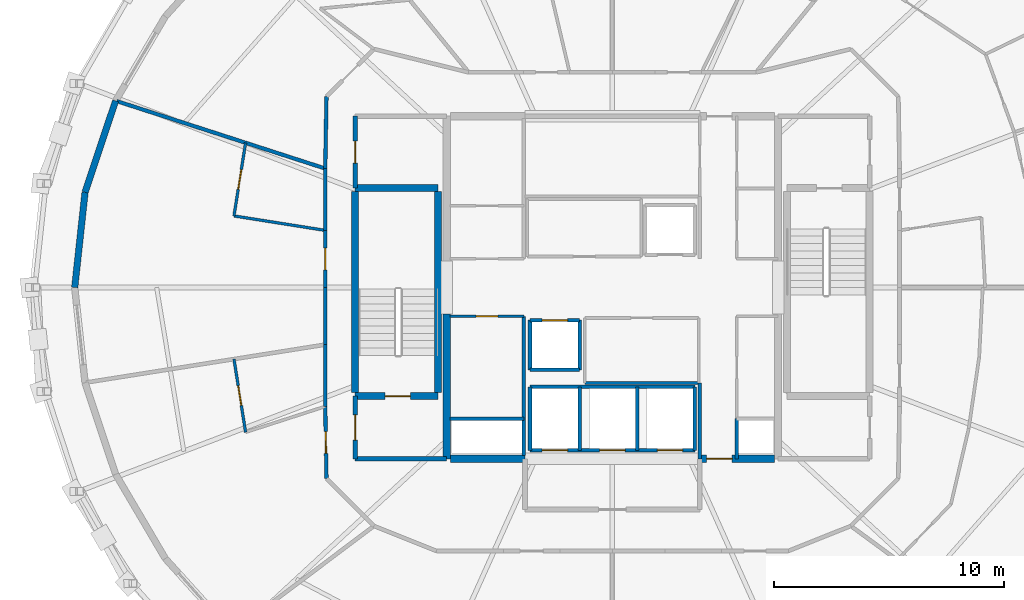
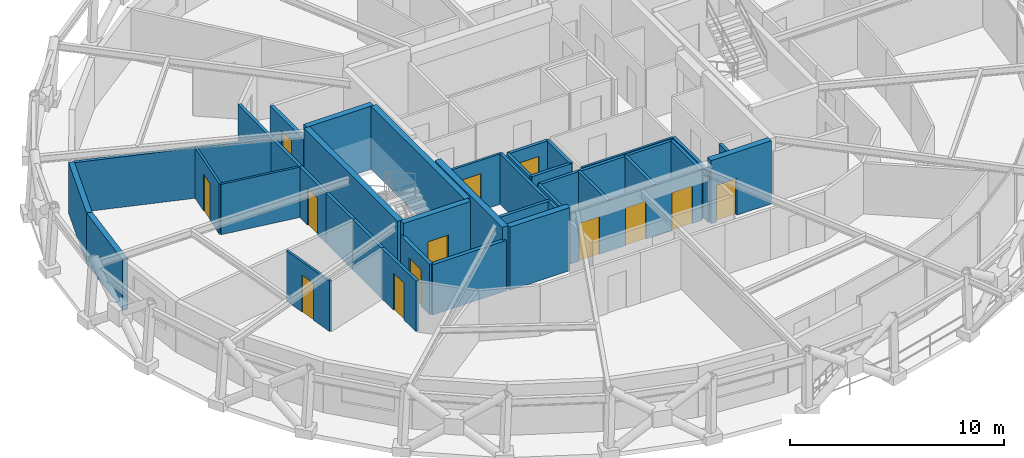
# One storey, part 14 of 18: 38 walls, 13 doors, 13 openings.
"""IFC4 building model written with IfcOpenShell, lengths in metres."""

from ifc_helpers import new_model, si_unit, direction, frame, frame_2d, origin, place, context, subcontext, project, spatial, rectangle, extrude, material, layer, layer_set, type_object, element, fill, save


model = new_model("IFC4")

# Units and contexts
model_context = context("Model", 3, precision=1e-05, world=origin(), true_north=direction((0.0, 1.0)))
body_context = subcontext(model_context, "Body", "Model", "MODEL_VIEW")
ifc_project = project(units=[si_unit("LENGTHUNIT", "METRE"), si_unit("AREAUNIT", "SQUARE_METRE"), si_unit("VOLUMEUNIT", "CUBIC_METRE"), si_unit("PLANEANGLEUNIT", "RADIAN"), si_unit("MASSUNIT", "GRAM", prefix="KILO")], contexts=[model_context])

# Site, building, storey
site_placement = place(None, origin())
site = spatial("IfcSite", under=ifc_project, at=site_placement, CompositionType="ELEMENT")
building_placement = place(site_placement, origin())
building = spatial("IfcBuilding", under=site, at=building_placement, Name="Veldorina Hangang Commons", CompositionType="ELEMENT")
storey_placement = place(building_placement, frame((0.0, 0.0, 218.39990234375)))
storey = spatial("IfcBuildingStorey", under=building, at=storey_placement, Name="L56", CompositionType="ELEMENT", Elevation=218.39990234375)

# Walls
ifc_material_1 = material(Name="Concrete C50/60", Category="concrete")
ifc_layer_1 = layer(ifc_material_1, 0.320068359375)
ifc_layer_set_1 = layer_set([ifc_layer_1], Name="Concrete C50/60")
wall_type_1 = type_object("IfcWallType", Name="CW-RC320-C50", PredefinedType="SHEAR", material=ifc_layer_set_1)
wall_1_placement = place(storey_placement, frame((24.800048828125, 16.550048828125, 0.0), z_axis=(0.0, 0.0, 1.0), x_axis=(0.0, 1.0, 0.0)))
element("IfcWall", 1, at=wall_1_placement, inside=storey, type_object=wall_type_1, Name="L56 W south core shear wall", PredefinedType="SHEAR", context=body_context, shape_type="SweptSolid", body=[
    extrude(rectangle(XDim=6.300048828125, YDim=0.320068359375, at=frame_2d((3.14990234375, 0.0))), origin(), (0.0, 0.0, 1.0), 3.60009765625),
])
wall_2_placement = place(storey_placement, frame((24.9599609375, 16.550048828125, 0.0), z_axis=(0.0, 0.0, 1.0), x_axis=(1.0, 0.0, 0.0)))
element("IfcWall", 2, at=wall_2_placement, inside=storey, type_object=wall_type_1, Name="L56 south-west core shear wall", PredefinedType="SHEAR", context=body_context, shape_type="SweptSolid", body=[
    extrude(rectangle(XDim=3.239990234375, YDim=0.320068359375, at=frame_2d((1.6201171875, 0.0))), origin(), (0.0, 0.0, 1.0), 3.60009765625),
])

# Wall, opening, door
wall_3_placement = place(storey_placement, frame((35.800048828125, 16.550048828125, 0.0), z_axis=(0.0, 0.0, 1.0), x_axis=(1.0, 0.0, 0.0)))
wall_3 = element("IfcWall", 3, at=wall_3_placement, inside=storey, type_object=wall_type_1, Name="L56 south-east core shear wall", PredefinedType="SHEAR", context=body_context, shape_type="SweptSolid", body=[
    extrude(rectangle(XDim=3.239990234375, YDim=0.320068359375, at=frame_2d((1.6201171875, 0.0))), origin(), (0.0, 0.0, 1.0), 3.60009765625),
])
opening_1_placement = place(wall_3_placement, frame((0.300048828125, 0.0, 0.0)))
opening_1 = element("IfcOpeningElement", 4, at=opening_1_placement, cuts=wall_3, Name="Opening D-08", PredefinedType="OPENING", context=body_context, shape_type="SweptSolid", body=[
    extrude(rectangle(XDim=1.10009765625, YDim=2.10009765625, at=frame_2d((0.550048828125, 1.050048828125))), frame((0.0, 0.169921875, 0.0), z_axis=(0.0, -1.0, 0.0), x_axis=(1.0, 0.0, 0.0)), (0.0, 0.0, 1.0), 0.340087890625),
])
ifc_material_2 = material(Name="Steel Fire-Rated Smoke Seal", Category="steel")
door_type_1 = type_object("IfcDoorType", Name="DR-FIRE-1100", OperationType="SINGLE_SWING_RIGHT", PredefinedType="DOOR", material=ifc_material_2)
door_1_placement = place(opening_1_placement, origin())
door_1 = element("IfcDoor", 5, at=door_1_placement, inside=storey, type_object=door_type_1, Name="L56 central lift lobby south corridor door", OperationType="SINGLE_SWING_RIGHT", OverallHeight=2.10009765625, OverallWidth=1.10009765625, PredefinedType="DOOR", context=body_context, shape_type="SweptSolid", body=[
    extrude(rectangle(XDim=1.10009765625, YDim=2.10009765625, at=frame_2d((0.550048828125, 1.050048828125))), frame((0.0, 0.02490234375, 0.0), z_axis=(0.0, -1.0, 0.0), x_axis=(1.0, 0.0, 0.0)), (0.0, 0.0, 1.0), 0.050048828125),
])
fill(opening_1, door_1)

# Walls
ifc_material_3 = material(Name="Stone Roman Travertine", Category="masonry")
ifc_layer_2 = layer(ifc_material_3, 0.280029296875)
ifc_layer_set_2 = layer_set([ifc_layer_2], Name="Stone Roman Travertine")
wall_type_2 = type_object("IfcWallType", Name="EW-TRAV-280", PredefinedType="STANDARD", material=ifc_layer_set_2)
wall_4_placement = place(storey_placement, frame((10.41015625, 32.115478515625, 0.0), z_axis=(0.0, 0.0, 1.0), x_axis=(-0.317030851827, -0.948415224989, 0.0)))
element("IfcWall", 6, at=wall_4_placement, inside=storey, type_object=wall_type_2, Name="L56 travertine facade wall 14", PredefinedType="STANDARD", context=body_context, shape_type="SweptSolid", body=[
    extrude(rectangle(XDim=4.194580078125, YDim=0.280029296875, at=frame_2d((2.09716796875, 0.0))), origin(), (0.0, 0.0, 1.0), 2.880126953125),
])
wall_5_placement = place(storey_placement, frame((9.080322265625, 28.13720703125, 0.0), z_axis=(0.0, 0.0, 1.0), x_axis=(-0.107887755605, -0.994163081285, 0.0)))
element("IfcWall", 7, at=wall_5_placement, inside=storey, type_object=wall_type_2, Name="L56 travertine facade wall 15", PredefinedType="STANDARD", context=body_context, shape_type="SweptSolid", body=[
    extrude(rectangle(XDim=4.161376953125, YDim=0.280029296875, at=frame_2d((2.08056640625, 0.0))), origin(), (0.0, 0.0, 1.0), 2.880126953125),
])
ifc_layer_3 = layer(ifc_material_1, 0.300048828125)
ifc_layer_set_3 = layer_set([ifc_layer_3], Name="Concrete C50/60")
wall_type_3 = type_object("IfcWallType", Name="SW-STAIR-300", PredefinedType="SHEAR", material=ifc_layer_set_3)
for number, where, z_axis, x_axis, name in (
    (8, (20.820068359375, 19.429931640625, 0.0), (0.0, 0.0, 1.0), (0.0, 1.0, 0.0), "L56 ST1 outer stair shear wall"),
    (9, (24.419921875, 19.429931640625, 0.0), (0.0, 0.0, 1.0), (0.0, 1.0, 0.0), "L56 ST1 inner stair shear wall"),
):
    element("IfcWall", number, at=place(storey_placement, frame(where, z_axis=z_axis, x_axis=x_axis)), inside=storey, type_object=wall_type_3, Name=name, PredefinedType="SHEAR", context=body_context, shape_type="SweptSolid", body=[
        extrude(rectangle(XDim=8.739990234375, YDim=0.300048828125, at=frame_2d((4.3701171875, 0.0))), origin(), (0.0, 0.0, 1.0), 3.60009765625),
    ])

# Wall, opening, door
wall_6_placement = place(storey_placement, frame((20.820068359375, 19.280029296875, 0.0), z_axis=(0.0, 0.0, 1.0), x_axis=(1.0, 0.0, 0.0)))
wall_6 = element("IfcWall", 10, at=wall_6_placement, inside=storey, type_object=wall_type_3, Name="L56 ST1 south stair shear wall", PredefinedType="SHEAR", context=body_context, shape_type="SweptSolid", body=[
    extrude(rectangle(XDim=3.599853515625, YDim=0.300048828125, at=frame_2d((1.7998046875, 0.0))), origin(), (0.0, 0.0, 1.0), 3.60009765625),
])
opening_2_placement = place(wall_6_placement, frame((1.300048828125, 0.0, 0.0)))
opening_2 = element("IfcOpeningElement", 11, at=opening_2_placement, cuts=wall_6, Name="Opening D-08", PredefinedType="OPENING", context=body_context, shape_type="SweptSolid", body=[
    extrude(rectangle(XDim=1.10009765625, YDim=2.10009765625, at=frame_2d((0.550048828125, 1.050048828125))), frame((0.0, 0.16015625, 0.0), z_axis=(0.0, -1.0, 0.0), x_axis=(1.0, 0.0, 0.0)), (0.0, 0.0, 1.0), 0.320068359375),
])
door_2_placement = place(opening_2_placement, origin())
door_2 = element("IfcDoor", 12, at=door_2_placement, inside=storey, type_object=door_type_1, Name="L56 Special Escape Stair ST-1 door", OperationType="SINGLE_SWING_LEFT", OverallHeight=2.10009765625, OverallWidth=1.10009765625, PredefinedType="DOOR", context=body_context, shape_type="SweptSolid", body=[
    extrude(rectangle(XDim=1.10009765625, YDim=2.10009765625, at=frame_2d((0.550048828125, 1.050048828125))), frame((0.0, 0.02490234375, 0.0), z_axis=(0.0, -1.0, 0.0), x_axis=(1.0, 0.0, 0.0)), (0.0, 0.0, 1.0), 0.050048828125),
])
fill(opening_2, door_2)

# Walls
wall_7_placement = place(storey_placement, frame((20.820068359375, 28.320068359375, 0.0), z_axis=(0.0, 0.0, 1.0), x_axis=(1.0, 0.0, 0.0)))
element("IfcWall", 13, at=wall_7_placement, inside=storey, type_object=wall_type_3, Name="L56 ST1 north stair shear wall", PredefinedType="SHEAR", context=body_context, shape_type="SweptSolid", body=[
    extrude(rectangle(XDim=3.599853515625, YDim=0.300048828125, at=frame_2d((1.7998046875, 0.0))), origin(), (0.0, 0.0, 1.0), 3.60009765625),
])
ifc_material_4 = material(Name="Gypsum Fire-Rated Twin Stud Wall", Category="gypsum")
ifc_layer_4 = layer(ifc_material_4, 0.159912109375)
ifc_layer_set_4 = layer_set([ifc_layer_4], Name="Gypsum Fire-Rated Twin Stud Wall")
wall_type_4 = type_object("IfcWallType", Name="WL-FIRE-160", PredefinedType="SOLIDWALL", material=ifc_layer_set_4)
wall_8_placement = place(storey_placement, frame((35.800048828125, 16.550048828125, 0.0), z_axis=(0.0, 0.0, 1.0), x_axis=(0.0, 1.0, 0.0)))
element("IfcWall", 14, at=wall_8_placement, inside=storey, type_object=wall_type_4, Name="L56 Lift passage SW wall 009", PredefinedType="SOLIDWALL", context=body_context, shape_type="SweptSolid", body=[
    extrude(rectangle(XDim=3.300048828125, YDim=0.159912109375, at=frame_2d((1.64990234375, 0.0))), origin(), (0.0, 0.0, 1.0), 2.8701171875),
])
wall_9_placement = place(storey_placement, frame((37.39990234375, 16.550048828125, 0.0), z_axis=(0.0, 0.0, 1.0), x_axis=(0.0, 1.0, 0.0)))
element("IfcWall", 15, at=wall_9_placement, inside=storey, type_object=wall_type_4, Name="L56 Lift passage SE stub 010", PredefinedType="SOLIDWALL", context=body_context, shape_type="SweptSolid", body=[
    extrude(rectangle(XDim=1.75, YDim=0.159912109375, at=frame_2d((0.875, 0.0))), origin(), (0.0, 0.0, 1.0), 2.8701171875),
])

# Wall, opening, door
wall_10_placement = place(storey_placement, frame((28.419921875, 22.580078125, 0.0), z_axis=(0.0, 0.0, 1.0), x_axis=(1.0, 0.0, 0.0)))
wall_10 = element("IfcWall", 16, at=wall_10_placement, inside=storey, type_object=wall_type_4, Name="L56 Shuttle-high front shaft wall 019", PredefinedType="SOLIDWALL", context=body_context, shape_type="SweptSolid", body=[
    extrude(rectangle(XDim=2.16015625, YDim=0.159912109375, at=frame_2d((1.080078125, 0.0))), origin(), (0.0, 0.0, 1.0), 2.8701171875),
])
opening_3_placement = place(wall_10_placement, frame((0.530029296875, 0.0, 0.0)))
opening_3 = element("IfcOpeningElement", 17, at=opening_3_placement, cuts=wall_10, Name="Opening LD-01", PredefinedType="OPENING", context=body_context, shape_type="SweptSolid", body=[
    extrude(rectangle(XDim=1.10009765625, YDim=2.14990234375, at=frame_2d((0.550048828125, 1.074951171875))), frame((0.0, 0.08984375, 0.0), z_axis=(0.0, -1.0, 0.0), x_axis=(1.0, 0.0, 0.0)), (0.0, 0.0, 1.0), 0.179931640625),
])
ifc_material_5 = material(Name="Stainless Steel Brushed Lift Door", Category="steel")
door_type_2 = type_object("IfcDoorType", Name="DR-LIFT-1100", OperationType="SLIDING_TO_LEFT", PredefinedType="DOOR", material=ifc_material_5)
door_3_placement = place(opening_3_placement, origin())
door_3 = element("IfcDoor", 18, at=door_3_placement, inside=storey, type_object=door_type_2, Name="L56 Lift PL-H2 landing door 007", OperationType="SLIDING_TO_LEFT", OverallHeight=2.14990234375, OverallWidth=1.10009765625, PredefinedType="DOOR", context=body_context, shape_type="SweptSolid", body=[
    extrude(rectangle(XDim=1.10009765625, YDim=2.14990234375, at=frame_2d((0.550048828125, 1.074951171875))), frame((0.0, 0.02490234375, 0.0), z_axis=(0.0, -1.0, 0.0), x_axis=(1.0, 0.0, 0.0)), (0.0, 0.0, 1.0), 0.050048828125),
])
fill(opening_3, door_3)

# Walls
for number, where, z_axis, x_axis, name in (
    (19, (28.419921875, 20.419921875, 0.0), (0.0, 0.0, 1.0), (1.0, 0.0, 0.0), "L56 Shuttle-high rear shaft wall 020"),
    (20, (28.419921875, 20.419921875, 0.0), (0.0, 0.0, 1.0), (0.0, 1.0, 0.0), "L56 PL-H2 west shaft wall 021"),
    (21, (30.580078125, 20.419921875, 0.0), (0.0, 0.0, 1.0), (0.0, 1.0, 0.0), "L56 PL-H2 east shaft wall 022"),
):
    element("IfcWall", number, at=place(storey_placement, frame(where, z_axis=z_axis, x_axis=x_axis)), inside=storey, type_object=wall_type_4, Name=name, PredefinedType="SOLIDWALL", context=body_context, shape_type="SweptSolid", body=[
        extrude(rectangle(XDim=2.16015625, YDim=0.159912109375, at=frame_2d((1.080078125, 0.0))), origin(), (0.0, 0.0, 1.0), 2.8701171875),
    ])

# Wall, openings, doors
wall_11_placement = place(storey_placement, frame((28.419921875, 16.919921875, 0.0), z_axis=(0.0, 0.0, 1.0), x_axis=(1.0, 0.0, 0.0)))
wall_11 = element("IfcWall", 22, at=wall_11_placement, inside=storey, type_object=wall_type_4, Name="L56 Emergency front shaft wall 023", PredefinedType="SOLIDWALL", context=body_context, shape_type="SweptSolid", body=[
    extrude(rectangle(XDim=7.16015625, YDim=0.159912109375, at=frame_2d((3.580078125, 0.0))), origin(), (0.0, 0.0, 1.0), 2.8701171875),
])
opening_4_placement = place(wall_11_placement, frame((0.530029296875, 0.0, 0.0)))
opening_4 = element("IfcOpeningElement", 23, at=opening_4_placement, cuts=wall_11, Name="Opening LD-03", PredefinedType="OPENING", context=body_context, shape_type="SweptSolid", body=[
    extrude(rectangle(XDim=1.10009765625, YDim=2.14990234375, at=frame_2d((0.550048828125, 1.074951171875))), frame((0.0, 0.08984375, 0.0), z_axis=(0.0, -1.0, 0.0), x_axis=(1.0, 0.0, 0.0)), (0.0, 0.0, 1.0), 0.179931640625),
])
opening_5_placement = place(wall_11_placement, frame((3.030029296875, 0.0, 0.0)))
opening_5 = element("IfcOpeningElement", 24, at=opening_5_placement, cuts=wall_11, Name="Opening LD-03", PredefinedType="OPENING", context=body_context, shape_type="SweptSolid", body=[
    extrude(rectangle(XDim=1.10009765625, YDim=2.14990234375, at=frame_2d((0.550048828125, 1.074951171875))), frame((0.0, 0.08984375, 0.0), z_axis=(0.0, -1.0, 0.0), x_axis=(1.0, 0.0, 0.0)), (0.0, 0.0, 1.0), 0.179931640625),
])
opening_6_placement = place(wall_11_placement, frame((5.530029296875, 0.0, 0.0)))
opening_6 = element("IfcOpeningElement", 25, at=opening_6_placement, cuts=wall_11, Name="Opening LD-03", PredefinedType="OPENING", context=body_context, shape_type="SweptSolid", body=[
    extrude(rectangle(XDim=1.10009765625, YDim=2.14990234375, at=frame_2d((0.550048828125, 1.074951171875))), frame((0.0, 0.08984375, 0.0), z_axis=(0.0, -1.0, 0.0), x_axis=(1.0, 0.0, 0.0)), (0.0, 0.0, 1.0), 0.179931640625),
])
ifc_material_6 = material(Name="Stainless Steel Firefighting Lift Door", Category="steel")
door_type_3 = type_object("IfcDoorType", Name="DR-LIFT-FF1100", OperationType="SLIDING_TO_RIGHT", PredefinedType="DOOR", material=ifc_material_6)
door_4_placement = place(opening_4_placement, origin())
door_4 = element("IfcDoor", 26, at=door_4_placement, inside=storey, type_object=door_type_3, Name="L56 Emergency lift FFL-1 landing door 008", OperationType="SLIDING_TO_RIGHT", OverallHeight=2.14990234375, OverallWidth=1.10009765625, PredefinedType="DOOR", context=body_context, shape_type="SweptSolid", body=[
    extrude(rectangle(XDim=1.10009765625, YDim=2.14990234375, at=frame_2d((0.550048828125, 1.074951171875))), frame((0.0, 0.02490234375, 0.0), z_axis=(0.0, -1.0, 0.0), x_axis=(1.0, 0.0, 0.0)), (0.0, 0.0, 1.0), 0.050048828125),
])
fill(opening_4, door_4)
door_5_placement = place(opening_5_placement, origin())
door_5 = element("IfcDoor", 27, at=door_5_placement, inside=storey, type_object=door_type_3, Name="L56 Emergency lift FFL-2 landing door 009", OperationType="SLIDING_TO_RIGHT", OverallHeight=2.14990234375, OverallWidth=1.10009765625, PredefinedType="DOOR", context=body_context, shape_type="SweptSolid", body=[
    extrude(rectangle(XDim=1.10009765625, YDim=2.14990234375, at=frame_2d((0.550048828125, 1.074951171875))), frame((0.0, 0.02490234375, 0.0), z_axis=(0.0, -1.0, 0.0), x_axis=(1.0, 0.0, 0.0)), (0.0, 0.0, 1.0), 0.050048828125),
])
fill(opening_5, door_5)
door_6_placement = place(opening_6_placement, origin())
door_6 = element("IfcDoor", 28, at=door_6_placement, inside=storey, type_object=door_type_3, Name="L56 Emergency lift EVL-1 landing door 010", OperationType="SLIDING_TO_RIGHT", OverallHeight=2.14990234375, OverallWidth=1.10009765625, PredefinedType="DOOR", context=body_context, shape_type="SweptSolid", body=[
    extrude(rectangle(XDim=1.10009765625, YDim=2.14990234375, at=frame_2d((0.550048828125, 1.074951171875))), frame((0.0, 0.02490234375, 0.0), z_axis=(0.0, -1.0, 0.0), x_axis=(1.0, 0.0, 0.0)), (0.0, 0.0, 1.0), 0.050048828125),
])
fill(opening_6, door_6)

# Walls
wall_12_placement = place(storey_placement, frame((28.419921875, 19.679931640625, 0.0), z_axis=(0.0, 0.0, 1.0), x_axis=(1.0, 0.0, 0.0)))
element("IfcWall", 29, at=wall_12_placement, inside=storey, type_object=wall_type_4, Name="L56 Emergency rear shaft wall 024", PredefinedType="SOLIDWALL", context=body_context, shape_type="SweptSolid", body=[
    extrude(rectangle(XDim=7.16015625, YDim=0.159912109375, at=frame_2d((3.580078125, 0.0))), origin(), (0.0, 0.0, 1.0), 2.8701171875),
])
for number, where, z_axis, x_axis, name in (
    (30, (28.419921875, 16.919921875, 0.0), (0.0, 0.0, 1.0), (0.0, 1.0, 0.0), "L56 FFL-1 west shaft wall 025"),
    (31, (30.580078125, 16.919921875, 0.0), (0.0, 0.0, 1.0), (0.0, 1.0, 0.0), "L56 FFL-1 east shaft wall 026"),
    (32, (33.080078125, 16.919921875, 0.0), (0.0, 0.0, 1.0), (0.0, 1.0, 0.0), "L56 FFL-2 east shaft wall 027"),
    (33, (35.580078125, 16.919921875, 0.0), (0.0, 0.0, 1.0), (0.0, 1.0, 0.0), "L56 EVL-1 east shaft wall 028"),
):
    element("IfcWall", number, at=place(storey_placement, frame(where, z_axis=z_axis, x_axis=x_axis)), inside=storey, type_object=wall_type_4, Name=name, PredefinedType="SOLIDWALL", context=body_context, shape_type="SweptSolid", body=[
        extrude(rectangle(XDim=2.760009765625, YDim=0.159912109375, at=frame_2d((1.3798828125, 0.0))), origin(), (0.0, 0.0, 1.0), 2.8701171875),
    ])
wall_13_placement = place(storey_placement, frame((24.949951171875, 18.300048828125, 0.0), z_axis=(0.0, 0.0, 1.0), x_axis=(1.0, 0.0, 0.0)))
element("IfcWall", 34, at=wall_13_placement, inside=storey, type_object=wall_type_4, Name="L56 Electrical riser wall 040", PredefinedType="SOLIDWALL", context=body_context, shape_type="SweptSolid", body=[
    extrude(rectangle(XDim=3.199951171875, YDim=0.159912109375, at=frame_2d((1.60009765625, 0.0))), origin(), (0.0, 0.0, 1.0), 2.8701171875),
])
wall_14_placement = place(storey_placement, frame((28.14990234375, 16.699951171875, 0.0), z_axis=(0.0, 0.0, 1.0), x_axis=(0.0, 1.0, 0.0)))
element("IfcWall", 35, at=wall_14_placement, inside=storey, type_object=wall_type_4, Name="L56 SW core inner wall 041", PredefinedType="SOLIDWALL", context=body_context, shape_type="SweptSolid", body=[
    extrude(rectangle(XDim=6.050048828125, YDim=0.159912109375, at=frame_2d((3.02490234375, 0.0))), origin(), (0.0, 0.0, 1.0), 2.8701171875),
])
wall_15_placement = place(storey_placement, frame((19.5732421875, 32.30322265625, 0.0), z_axis=(0.0, 0.0, 1.0), x_axis=(-0.016981035134, -0.999855811828, 0.0)))
element("IfcWall", 36, at=wall_15_placement, inside=storey, type_object=wall_type_4, Name="L56 Compact collar outer wall 13 065", PredefinedType="SOLIDWALL", context=body_context, shape_type="SweptSolid", body=[
    extrude(rectangle(XDim=3.13427734375, YDim=0.159912109375, at=frame_2d((1.567138671875, 0.0))), origin(), (0.0, 0.0, 1.0), 2.8701171875),
])
wall_16_placement = place(storey_placement, frame((19.52001953125, 29.16943359375, 0.0), z_axis=(0.0, 0.0, 1.0), x_axis=(0.0, -1.0, 0.0)))
element("IfcWall", 37, at=wall_16_placement, inside=storey, type_object=wall_type_4, Name="L56 Compact collar outer wall 14 066", PredefinedType="SOLIDWALL", context=body_context, shape_type="SweptSolid", body=[
    extrude(rectangle(XDim=2.68701171875, YDim=0.159912109375, at=frame_2d((1.343505859375, 0.0))), origin(), (0.0, 0.0, 1.0), 2.8701171875),
])

# Wall, opening, door
wall_17_placement = place(storey_placement, frame((19.52001953125, 26.482421875, 0.0), z_axis=(0.0, 0.0, 1.0), x_axis=(0.0, -1.0, 0.0)))
wall_17 = element("IfcWall", 38, at=wall_17_placement, inside=storey, type_object=wall_type_4, Name="L56 Compact collar outer wall 15 067", PredefinedType="SOLIDWALL", context=body_context, shape_type="SweptSolid", body=[
    extrude(rectangle(XDim=2.482421875, YDim=0.159912109375, at=frame_2d((1.2412109375, 0.0))), origin(), (0.0, 0.0, 1.0), 2.8701171875),
])
opening_7_placement = place(wall_17_placement, frame((0.76611328125, 0.0, 0.0)))
opening_7 = element("IfcOpeningElement", 39, at=opening_7_placement, cuts=wall_17, Name="Opening D-03", PredefinedType="OPENING", context=body_context, shape_type="SweptSolid", body=[
    extrude(rectangle(XDim=0.949951171875, YDim=2.10009765625, at=frame_2d((0.47509765625, 1.050048828125))), frame((0.0, 0.08984375, 0.0), z_axis=(0.0, -1.0, 0.0), x_axis=(1.0, 0.0, 0.0)), (0.0, 0.0, 1.0), 0.179931640625),
])
ifc_material_7 = material(Name="Timber Fire-Rated Entrance Core", Category="wood")
door_type_4 = type_object("IfcDoorType", Name="DR-UNIT-950", OperationType="SINGLE_SWING_RIGHT", PredefinedType="DOOR", material=ifc_material_7)
door_7_placement = place(opening_7_placement, origin())
door_7 = element("IfcDoor", 40, at=door_7_placement, inside=storey, type_object=door_type_4, Name="L56 Studio 6 entrance door 035", OperationType="SINGLE_SWING_LEFT", OverallHeight=2.10009765625, OverallWidth=0.949951171875, PredefinedType="DOOR", context=body_context, shape_type="SweptSolid", body=[
    extrude(rectangle(XDim=0.949951171875, YDim=2.10009765625, at=frame_2d((0.47509765625, 1.050048828125))), frame((0.0, 0.02490234375, 0.0), z_axis=(0.0, -1.0, 0.0), x_axis=(1.0, 0.0, 0.0)), (0.0, 0.0, 1.0), 0.050048828125),
])
fill(opening_7, door_7)

# Walls
wall_18_placement = place(storey_placement, frame((19.52001953125, 24.0, 0.0), z_axis=(0.0, 0.0, 1.0), x_axis=(0.0, -1.0, 0.0)))
element("IfcWall", 41, at=wall_18_placement, inside=storey, type_object=wall_type_4, Name="L56 Compact collar outer wall 16 068", PredefinedType="SOLIDWALL", context=body_context, shape_type="SweptSolid", body=[
    extrude(rectangle(XDim=2.482421875, YDim=0.159912109375, at=frame_2d((1.2412109375, 0.0))), origin(), (0.0, 0.0, 1.0), 2.8701171875),
])
wall_19_placement = place(storey_placement, frame((19.52001953125, 21.517578125, 0.0), z_axis=(0.0, 0.0, 1.0), x_axis=(0.0, -1.0, 0.0)))
element("IfcWall", 42, at=wall_19_placement, inside=storey, type_object=wall_type_4, Name="L56 Compact collar outer wall 17 069", PredefinedType="SOLIDWALL", context=body_context, shape_type="SweptSolid", body=[
    extrude(rectangle(XDim=2.68701171875, YDim=0.159912109375, at=frame_2d((1.343505859375, 0.0))), origin(), (0.0, 0.0, 1.0), 2.8701171875),
])

# Wall, opening, door
wall_20_placement = place(storey_placement, frame((19.52001953125, 18.83056640625, 0.0), z_axis=(0.0, 0.0, 1.0), x_axis=(0.016981035134, -0.999855811828, 0.0)))
wall_20 = element("IfcWall", 43, at=wall_20_placement, inside=storey, type_object=wall_type_4, Name="L56 Compact collar outer wall 18 070", PredefinedType="SOLIDWALL", context=body_context, shape_type="SweptSolid", body=[
    extrude(rectangle(XDim=3.13427734375, YDim=0.159912109375, at=frame_2d((1.567138671875, 0.0))), origin(), (0.0, 0.0, 1.0), 2.8701171875),
])
opening_8_placement = place(wall_20_placement, frame((1.09228515625, 0.0, 0.0)))
opening_8 = element("IfcOpeningElement", 44, at=opening_8_placement, cuts=wall_20, Name="Opening D-03", PredefinedType="OPENING", context=body_context, shape_type="SweptSolid", body=[
    extrude(rectangle(XDim=0.949951171875, YDim=2.10009765625, at=frame_2d((0.47509765625, 1.050048828125))), frame((0.0, 0.08984375, 0.0), z_axis=(0.0, -1.0, 0.0), x_axis=(1.0, 0.0, 0.0)), (0.0, 0.0, 1.0), 0.179931640625),
])
door_8_placement = place(opening_8_placement, origin())
door_8 = element("IfcDoor", 45, at=door_8_placement, inside=storey, type_object=door_type_4, Name="L56 Studio 7 entrance door 037", OperationType="SINGLE_SWING_LEFT", OverallHeight=2.10009765625, OverallWidth=0.949951171875, PredefinedType="DOOR", context=body_context, shape_type="SweptSolid", body=[
    extrude(rectangle(XDim=0.949951171875, YDim=2.10009765625, at=frame_2d((0.47509765625, 1.050048828125))), frame((0.0, 0.02490234375, 0.0), z_axis=(0.0, -1.0, 0.0), x_axis=(1.0, 0.0, 0.0)), (0.0, 0.0, 1.0), 0.050048828125),
])
fill(opening_8, door_8)

# Wall
wall_21_placement = place(storey_placement, frame((19.52001953125, 29.16943359375, 0.0), z_axis=(0.0, 0.0, 1.0), x_axis=(-0.951482710275, 0.307702213264, 0.0)))
element("IfcWall", 46, at=wall_21_placement, inside=storey, type_object=wall_type_4, Name="L56 Unit party wall 14 108", PredefinedType="SOLIDWALL", context=body_context, shape_type="SweptSolid", body=[
    extrude(rectangle(XDim=9.5244140625, YDim=0.159912109375, at=frame_2d((4.76220703125, 0.0))), origin(), (0.0, 0.0, 1.0), 2.8701171875),
])

# Wall, opening, door
ifc_material_8 = material(Name="Concrete Blockwork Fire Wall C30/37", Category="masonry")
ifc_layer_5 = layer(ifc_material_8, 0.199951171875)
ifc_layer_set_5 = layer_set([ifc_layer_5], Name="Concrete Blockwork Fire Wall C30/37")
wall_type_5 = type_object("IfcWallType", Name="WL-FIRE-200", PredefinedType="SOLIDWALL", material=ifc_layer_set_5)
wall_22_placement = place(storey_placement, frame((20.820068359375, 16.550048828125, 0.0), z_axis=(0.0, 0.0, 1.0), x_axis=(0.0, 1.0, 0.0)))
wall_22 = element("IfcWall", 47, at=wall_22_placement, inside=storey, type_object=wall_type_5, Name="L56 West vestibule outer wall 001", PredefinedType="SOLIDWALL", context=body_context, shape_type="SweptSolid", body=[
    extrude(rectangle(XDim=2.72998046875, YDim=0.199951171875, at=frame_2d((1.364990234375, 0.0))), origin(), (0.0, 0.0, 1.0), 2.8701171875),
])
opening_9_placement = place(wall_22_placement, frame((0.81494140625, 0.0, 0.0)))
opening_9 = element("IfcOpeningElement", 48, at=opening_9_placement, cuts=wall_22, Name="Opening D-08", PredefinedType="OPENING", context=body_context, shape_type="SweptSolid", body=[
    extrude(rectangle(XDim=1.10009765625, YDim=2.10009765625, at=frame_2d((0.550048828125, 1.050048828125))), frame((0.0, 0.10986328125, 0.0), z_axis=(0.0, -1.0, 0.0), x_axis=(1.0, 0.0, 0.0)), (0.0, 0.0, 1.0), 0.219970703125),
])
door_9_placement = place(opening_9_placement, origin())
door_9 = element("IfcDoor", 49, at=door_9_placement, inside=storey, type_object=door_type_1, Name="L56 West vestibule west door 001", OperationType="SINGLE_SWING_LEFT", OverallHeight=2.10009765625, OverallWidth=1.10009765625, PredefinedType="DOOR", context=body_context, shape_type="SweptSolid", body=[
    extrude(rectangle(XDim=1.10009765625, YDim=2.10009765625, at=frame_2d((0.550048828125, 1.050048828125))), frame((0.0, 0.02490234375, 0.0), z_axis=(0.0, -1.0, 0.0), x_axis=(1.0, 0.0, 0.0)), (0.0, 0.0, 1.0), 0.050048828125),
])
fill(opening_9, door_9)

# Wall
wall_23_placement = place(storey_placement, frame((20.820068359375, 16.550048828125, 0.0), z_axis=(0.0, 0.0, 1.0), x_axis=(1.0, 0.0, 0.0)))
element("IfcWall", 50, at=wall_23_placement, inside=storey, type_object=wall_type_5, Name="L56 West vestibule south wall 002", PredefinedType="SOLIDWALL", context=body_context, shape_type="SweptSolid", body=[
    extrude(rectangle(XDim=3.97998046875, YDim=0.199951171875, at=frame_2d((1.989990234375, 0.0))), origin(), (0.0, 0.0, 1.0), 2.8701171875),
])

# Wall, opening, door
wall_24_placement = place(storey_placement, frame((20.820068359375, 28.320068359375, 0.0), z_axis=(0.0, 0.0, 1.0), x_axis=(0.0, 1.0, 0.0)))
wall_24 = element("IfcWall", 51, at=wall_24_placement, inside=storey, type_object=wall_type_5, Name="L56 NW core room outer wall 005", PredefinedType="SOLIDWALL", context=body_context, shape_type="SweptSolid", body=[
    extrude(rectangle(XDim=3.1298828125, YDim=0.199951171875, at=frame_2d((1.56494140625, 0.0))), origin(), (0.0, 0.0, 1.0), 2.8701171875),
])
opening_10_placement = place(wall_24_placement, frame((1.090087890625, 0.0, 0.0)))
opening_10 = element("IfcOpeningElement", 52, at=opening_10_placement, cuts=wall_24, Name="Opening D-04", PredefinedType="OPENING", context=body_context, shape_type="SweptSolid", body=[
    extrude(rectangle(XDim=0.949951171875, YDim=2.10009765625, at=frame_2d((0.47509765625, 1.050048828125))), frame((0.0, 0.10986328125, 0.0), z_axis=(0.0, -1.0, 0.0), x_axis=(1.0, 0.0, 0.0)), (0.0, 0.0, 1.0), 0.219970703125),
])
ifc_material_9 = material(Name="Timber Accessible Flush Leaf", Category="wood")
door_type_5 = type_object("IfcDoorType", Name="DR-ACC-950", OperationType="SINGLE_SWING_LEFT", PredefinedType="DOOR", material=ifc_material_9)
door_10_placement = place(opening_10_placement, origin())
door_10 = element("IfcDoor", 53, at=door_10_placement, inside=storey, type_object=door_type_5, Name="L56 NW core WC door 003", OperationType="SINGLE_SWING_LEFT", OverallHeight=2.10009765625, OverallWidth=0.949951171875, PredefinedType="DOOR", context=body_context, shape_type="SweptSolid", body=[
    extrude(rectangle(XDim=0.949951171875, YDim=2.10009765625, at=frame_2d((0.47509765625, 1.050048828125))), frame((0.0, 0.02490234375, 0.0), z_axis=(0.0, -1.0, 0.0), x_axis=(1.0, 0.0, 0.0)), (0.0, 0.0, 1.0), 0.050048828125),
])
fill(opening_10, door_10)

# Wall
ifc_material_10 = material(Name="Gypsum Acoustic Stud Partition", Category="gypsum")
ifc_layer_6 = layer(ifc_material_10, 0.1201171875)
ifc_layer_set_6 = layer_set([ifc_layer_6], Name="Gypsum Acoustic Stud Partition")
wall_type_6 = type_object("IfcWallType", Name="WL-PART-120", PredefinedType="PARTITIONING", material=ifc_layer_set_6)
wall_25_placement = place(storey_placement, frame((30.800048828125, 19.85009765625, 0.0), z_axis=(0.0, 0.0, 1.0), x_axis=(1.0, 0.0, 0.0)))
element("IfcWall", 54, at=wall_25_placement, inside=storey, type_object=wall_type_6, Name="L56 Merged shuttle south wall 037", PredefinedType="PARTITIONING", context=body_context, shape_type="SweptSolid", body=[
    extrude(rectangle(XDim=4.949951171875, YDim=0.1201171875, at=frame_2d((2.47509765625, 0.0))), origin(), (0.0, 0.0, 1.0), 2.8701171875),
])

# Wall, opening, door
wall_26_placement = place(storey_placement, frame((24.949951171875, 22.75, 0.0), z_axis=(0.0, 0.0, 1.0), x_axis=(1.0, 0.0, 0.0)))
wall_26 = element("IfcWall", 55, at=wall_26_placement, inside=storey, type_object=wall_type_6, Name="L56 SW service north wall 045", PredefinedType="PARTITIONING", context=body_context, shape_type="SweptSolid", body=[
    extrude(rectangle(XDim=3.199951171875, YDim=0.1201171875, at=frame_2d((1.60009765625, 0.0))), origin(), (0.0, 0.0, 1.0), 2.8701171875),
])
opening_11_placement = place(wall_26_placement, frame((1.125, 0.0, 0.0)))
opening_11 = element("IfcOpeningElement", 56, at=opening_11_placement, cuts=wall_26, Name="Opening D-02", PredefinedType="OPENING", context=body_context, shape_type="SweptSolid", body=[
    extrude(rectangle(XDim=0.949951171875, YDim=2.10009765625, at=frame_2d((0.47509765625, 1.050048828125))), frame((0.0, 0.070068359375, 0.0), z_axis=(0.0, -1.0, 0.0), x_axis=(1.0, 0.0, 0.0)), (0.0, 0.0, 1.0), 0.14013671875),
])
ifc_material_11 = material(Name="Timber Solid Core Acoustic", Category="wood")
door_type_6 = type_object("IfcDoorType", Name="DR-INT-950", OperationType="SINGLE_SWING_LEFT", PredefinedType="DOOR", material=ifc_material_11)
door_11_placement = place(opening_11_placement, origin())
door_11 = element("IfcDoor", 57, at=door_11_placement, inside=storey, type_object=door_type_6, Name="L56 Waste sorting door 016", OperationType="SINGLE_SWING_RIGHT", OverallHeight=2.10009765625, OverallWidth=0.949951171875, PredefinedType="DOOR", context=body_context, shape_type="SweptSolid", body=[
    extrude(rectangle(XDim=0.949951171875, YDim=2.10009765625, at=frame_2d((0.47509765625, 1.050048828125))), frame((0.0, 0.02490234375, 0.0), z_axis=(0.0, -1.0, 0.0), x_axis=(1.0, 0.0, 0.0)), (0.0, 0.0, 1.0), 0.050048828125),
])
fill(opening_11, door_11)

wall_27_placement = place(storey_placement, frame((16.05810546875, 30.288818359375, 0.0), z_axis=(0.0, 0.0, 1.0), x_axis=(-0.156987224251, -0.987600633567, 0.0)))
wall_27 = element("IfcWall", 58, at=wall_27_placement, inside=storey, type_object=wall_type_6, Name="L56 Studio 6 bath front wall 109", PredefinedType="PARTITIONING", context=body_context, shape_type="SweptSolid", body=[
    extrude(rectangle(XDim=3.217529296875, YDim=0.1201171875, at=frame_2d((1.60888671875, 0.0))), origin(), (0.0, 0.0, 1.0), 2.8701171875),
])
opening_12_placement = place(wall_27_placement, frame((1.1787109375, 0.0, 0.0)))
opening_12 = element("IfcOpeningElement", 59, at=opening_12_placement, cuts=wall_27, Name="Opening D-01", PredefinedType="OPENING", context=body_context, shape_type="SweptSolid", body=[
    extrude(rectangle(XDim=0.860107421875, YDim=2.10009765625, at=frame_2d((0.43017578125, 1.050048828125))), frame((0.0, 0.070068359375, 0.0), z_axis=(0.0, -1.0, 0.0), x_axis=(1.0, 0.0, 0.0)), (0.0, 0.0, 1.0), 0.14013671875),
])
ifc_material_12 = material(Name="Timber Moisture-Resistant Core", Category="wood")
door_type_7 = type_object("IfcDoorType", Name="DR-WET-860", OperationType="SINGLE_SWING_LEFT", PredefinedType="DOOR", material=ifc_material_12)
door_12_placement = place(opening_12_placement, origin())
door_12 = element("IfcDoor", 60, at=door_12_placement, inside=storey, type_object=door_type_7, Name="L56 Studio 6 bathroom door 034", OperationType="SINGLE_SWING_RIGHT", OverallHeight=2.10009765625, OverallWidth=0.860107421875, PredefinedType="DOOR", context=body_context, shape_type="SweptSolid", body=[
    extrude(rectangle(XDim=0.860107421875, YDim=2.10009765625, at=frame_2d((0.43017578125, 1.050048828125))), frame((0.0, 0.02490234375, 0.0), z_axis=(0.0, -1.0, 0.0), x_axis=(1.0, 0.0, 0.0)), (0.0, 0.0, 1.0), 0.050048828125),
])
fill(opening_12, door_12)

# Wall
wall_28_placement = place(storey_placement, frame((19.52001953125, 26.482421875, 0.0), z_axis=(0.0, 0.0, 1.0), x_axis=(-0.987675083343, 0.156518145093, 0.0)))
element("IfcWall", 61, at=wall_28_placement, inside=storey, type_object=wall_type_6, Name="L56 Studio 6 bath side wall 110", PredefinedType="PARTITIONING", context=body_context, shape_type="SweptSolid", body=[
    extrude(rectangle(XDim=4.0166015625, YDim=0.1201171875, at=frame_2d((2.00830078125, 0.0))), origin(), (0.0, 0.0, 1.0), 2.8701171875),
])

# Wall, opening, door
wall_29_placement = place(storey_placement, frame((15.552978515625, 20.888916015625, 0.0), z_axis=(0.0, 0.0, 1.0), x_axis=(0.156987224251, -0.987600633567, 0.0)))
wall_29 = element("IfcWall", 62, at=wall_29_placement, inside=storey, type_object=wall_type_6, Name="L56 Studio 7 bath front wall 112", PredefinedType="PARTITIONING", context=body_context, shape_type="SweptSolid", body=[
    extrude(rectangle(XDim=3.217529296875, YDim=0.1201171875, at=frame_2d((1.60888671875, 0.0))), origin(), (0.0, 0.0, 1.0), 2.8701171875),
])
opening_13_placement = place(wall_29_placement, frame((1.1787109375, 0.0, 0.0)))
opening_13 = element("IfcOpeningElement", 63, at=opening_13_placement, cuts=wall_29, Name="Opening D-01", PredefinedType="OPENING", context=body_context, shape_type="SweptSolid", body=[
    extrude(rectangle(XDim=0.860107421875, YDim=2.10009765625, at=frame_2d((0.43017578125, 1.050048828125))), frame((0.0, 0.070068359375, 0.0), z_axis=(0.0, -1.0, 0.0), x_axis=(1.0, 0.0, 0.0)), (0.0, 0.0, 1.0), 0.14013671875),
])
door_13_placement = place(opening_13_placement, origin())
door_13 = element("IfcDoor", 64, at=door_13_placement, inside=storey, type_object=door_type_7, Name="L56 Studio 7 bathroom door 036", OperationType="SINGLE_SWING_RIGHT", OverallHeight=2.10009765625, OverallWidth=0.860107421875, PredefinedType="DOOR", context=body_context, shape_type="SweptSolid", body=[
    extrude(rectangle(XDim=0.860107421875, YDim=2.10009765625, at=frame_2d((0.43017578125, 1.050048828125))), frame((0.0, 0.02490234375, 0.0), z_axis=(0.0, -1.0, 0.0), x_axis=(1.0, 0.0, 0.0)), (0.0, 0.0, 1.0), 0.050048828125),
])
fill(opening_13, door_13)

save(model, "model.ifc")
